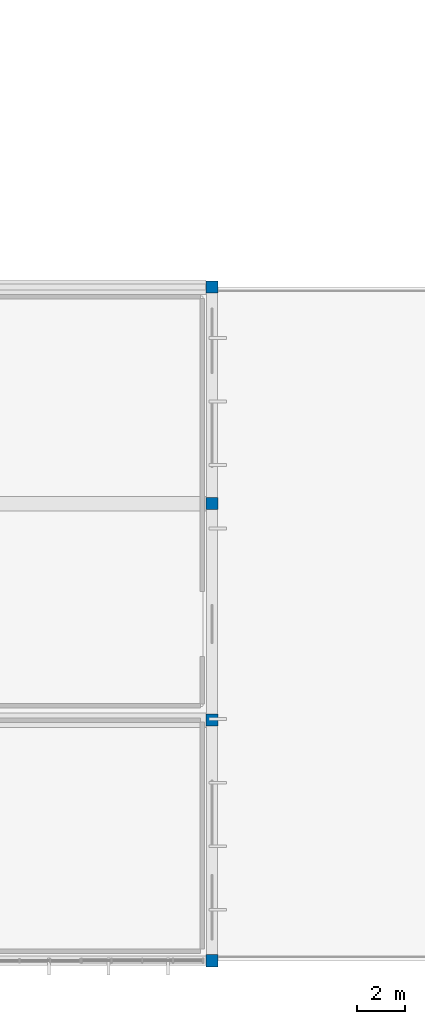
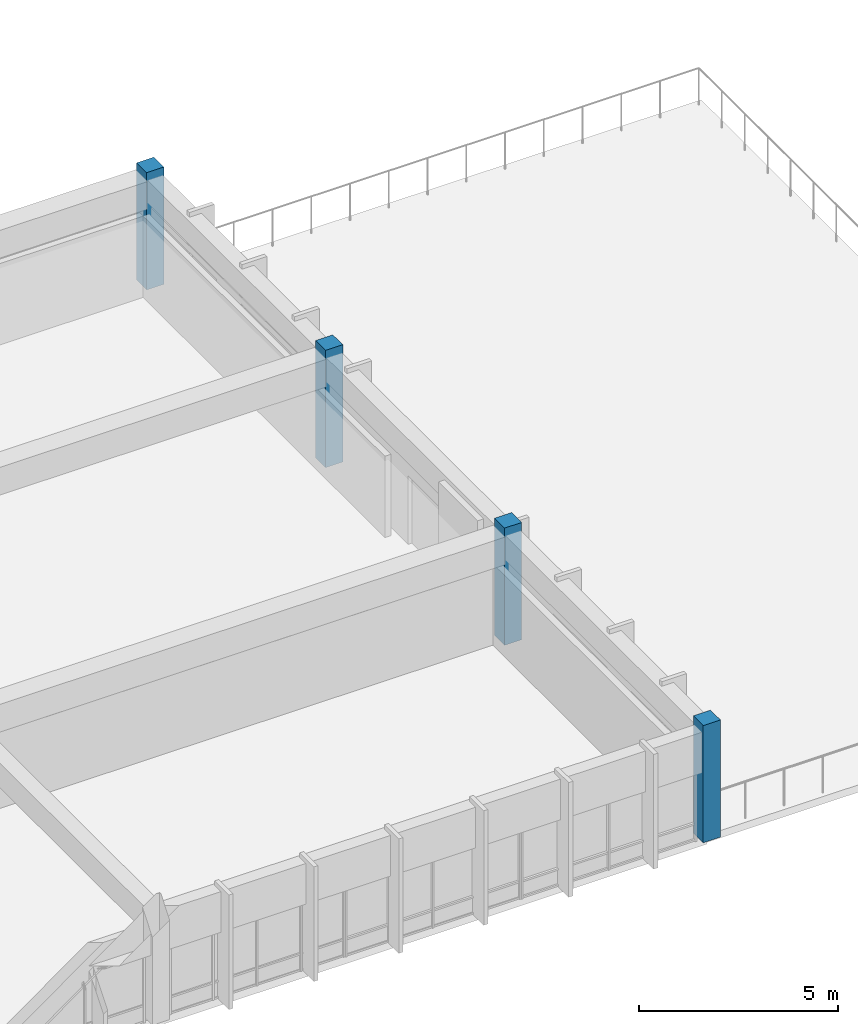
# One storey, part 3 of 33: 4 columns.
"""IFC4 building model written with IfcOpenShell, lengths in metres."""

from ifc_helpers import new_model, si_unit, direction, frame, origin, origin_2d, place, context, subcontext, project, spatial, rectangle, extrude, material, material_profile, profile_set, type_object, element, save


model = new_model("IFC4")

# Units and contexts
model_context = context("Model", 3, precision=1e-05, world=origin(), true_north=direction((0.0, 1.0)))
body_context = subcontext(model_context, "Body", "Model", "MODEL_VIEW")
ifc_project = project(units=[si_unit("LENGTHUNIT", "METRE"), si_unit("AREAUNIT", "SQUARE_METRE"), si_unit("VOLUMEUNIT", "CUBIC_METRE"), si_unit("PLANEANGLEUNIT", "RADIAN"), si_unit("MASSUNIT", "GRAM", prefix="KILO")], contexts=[model_context])

# Site, building, storey
site_placement = place(None, origin())
site = spatial("IfcSite", under=ifc_project, at=site_placement, CompositionType="ELEMENT")
building_placement = place(site_placement, origin())
building = spatial("IfcBuilding", under=site, at=building_placement, Name="Larkveld Mobility Hub", CompositionType="ELEMENT")
storey_placement = place(building_placement, frame((0.0, 0.0, 15.60009765625)))
storey = spatial("IfcBuildingStorey", under=building, at=storey_placement, Name="L04", CompositionType="ELEMENT", Elevation=15.60009765625)

# Columns
ifc_material = material(Name="Concrete C40/50", Category="concrete")
ifc_material_profile = material_profile(ifc_material, rectangle(XDim=0.5, YDim=0.5, at=origin_2d()), Name="RC COL 500x500")
ifc_profile_set = profile_set([ifc_material_profile], Name="Concrete C40/50")
column_type = type_object("IfcColumnType", Name="CL-RC500", PredefinedType="COLUMN", material=ifc_profile_set)
for number, where, z_axis, x_axis, name in (
    (1, (168.0, 0.0, 0.0), (0.0, 0.0, 1.0), (1.0, 0.0, 0.0), "Column V6-X168-Y0 (L04)"),
    (2, (168.0, 10.0, 0.0), (0.0, 0.0, 1.0), (1.0, 0.0, 0.0), "Column V6-X168-Y10 (L04)"),
    (3, (168.0, 19.0, 0.0), (0.0, 0.0, 1.0), (1.0, 0.0, 0.0), "Column V6-X168-Y19 (L04)"),
    (4, (168.0, 28.0, 0.0), (0.0, 0.0, 1.0), (1.0, 0.0, 0.0), "Column V6-X168-Y28 (L04)"),
):
    element("IfcColumn", number, at=place(storey_placement, frame(where, z_axis=z_axis, x_axis=x_axis)), inside=storey, type_object=column_type, Name=name, PredefinedType="COLUMN", context=body_context, shape_type="SweptSolid", body=[
        extrude(rectangle(XDim=0.5, YDim=0.5, at=origin_2d()), origin(), (0.0, 0.0, 1.0), 3.599853515625),
    ])

save(model, "model.ifc")
